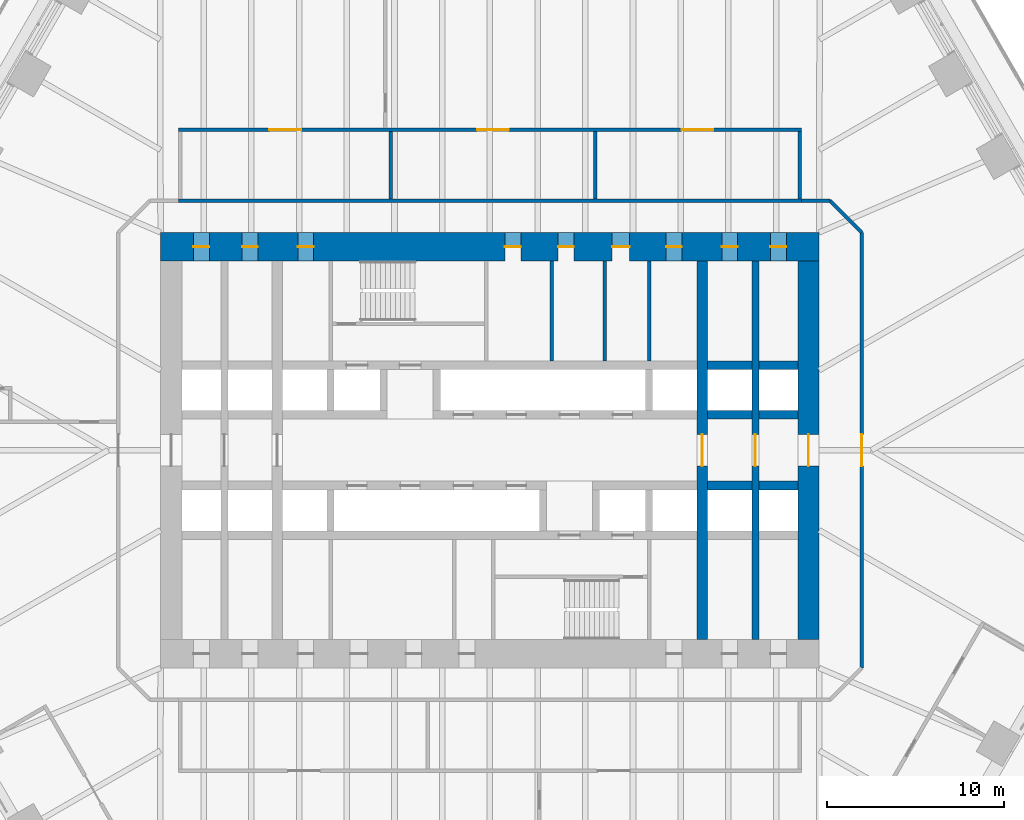
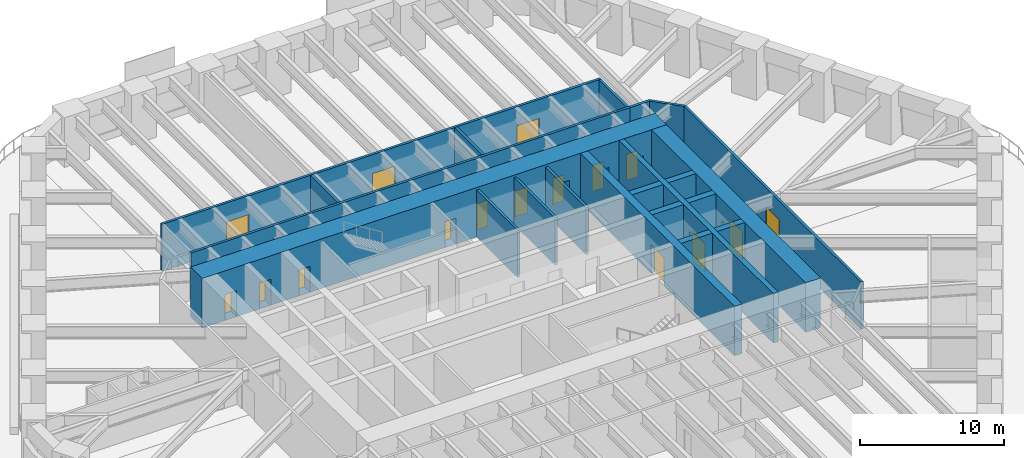
# One storey, part 19 of 23: 21 walls, 16 doors, 16 openings.
"""IFC4 building model written with IfcOpenShell, lengths in metres."""

from ifc_helpers import new_model, si_unit, direction, frame, frame_2d, origin, place, context, subcontext, project, spatial, rectangle, extrude, material, layer, layer_set, type_object, element, fill, save


model = new_model("IFC4")

# Units and contexts
model_context = context("Model", 3, precision=1e-05, world=origin(), true_north=direction((0.0, 1.0)))
body_context = subcontext(model_context, "Body", "Model", "MODEL_VIEW")
ifc_project = project(units=[si_unit("LENGTHUNIT", "METRE"), si_unit("AREAUNIT", "SQUARE_METRE"), si_unit("VOLUMEUNIT", "CUBIC_METRE"), si_unit("PLANEANGLEUNIT", "RADIAN"), si_unit("MASSUNIT", "GRAM", prefix="KILO")], contexts=[model_context])

# Site, building, storey
site_placement = place(None, origin())
site = spatial("IfcSite", under=ifc_project, at=site_placement, CompositionType="ELEMENT")
building_placement = place(site_placement, origin())
building = spatial("IfcBuilding", under=site, at=building_placement, Name="Tarfa Lantern Tower", CompositionType="ELEMENT")
storey_placement = place(building_placement, frame((0.0, 0.0, 78.10009765625)))
storey = spatial("IfcBuildingStorey", under=building, at=storey_placement, Name="L17", CompositionType="ELEMENT", Elevation=78.10009765625)

# Walls
ifc_material_1 = material(Name="Concrete blockwork", Category="masonry")
ifc_layer_1 = layer(ifc_material_1, 0.199951171875)
ifc_layer_set_1 = layer_set([ifc_layer_1], Name="IW1 BLOCKWORK PARTITION 200 EI 120")
wall_type_1 = type_object("IfcWallType", Name="IW1 BLOCKWORK PARTITION 200 EI 120", PredefinedType="PARTITIONING", material=ifc_layer_set_1)
for number, where, z_axis, x_axis, name in (
    (1, (9.0, 5.050048828125, 0.0), (0.0, 0.0, 1.0), (0.0, 1.0, 0.0), "Core partition"),
    (2, (3.5, 5.050048828125, 0.0), (0.0, 0.0, 1.0), (0.0, 1.0, 0.0), "Core partition"),
    (3, (6.5, 5.050048828125, 0.0), (0.0, 0.0, 1.0), (0.0, 1.0, 0.0), "Core partition"),
):
    element("IfcWall", number, at=place(storey_placement, frame(where, z_axis=z_axis, x_axis=x_axis)), inside=storey, type_object=wall_type_1, Name=name, PredefinedType="PARTITIONING", context=body_context, shape_type="SweptSolid", body=[
        extrude(rectangle(XDim=5.64990234375, YDim=0.199951171875, at=frame_2d((2.824951171875, 0.0))), origin(), (0.0, 0.0, 1.0), 4.0),
    ])
ifc_material_2 = material(Name="Gypsum board on steel studs", Category="steel")
ifc_layer_2 = layer(ifc_material_2, 0.2099609375)
ifc_layer_set_2 = layer_set([ifc_layer_2], Name="IW2 ACOUSTIC PARTITION 200")
wall_type_2 = type_object("IfcWallType", Name="IW2 ACOUSTIC PARTITION 200", PredefinedType="PARTITIONING", material=ifc_layer_set_2)
wall_1_placement = place(storey_placement, frame((-17.60009765625, 14.10009765625, 0.0), z_axis=(0.0, 0.0, 1.0), x_axis=(1.0, 0.0, 0.0)))
element("IfcWall", 4, at=wall_1_placement, inside=storey, type_object=wall_type_2, Name="Partition", PredefinedType="PARTITIONING", context=body_context, shape_type="SweptSolid", body=[
    extrude(rectangle(XDim=35.2001953125, YDim=0.199951171875, at=frame_2d((17.60009765625, 0.0))), origin(), (0.0, 0.0, 1.0), 4.0),
])

# Wall, openings, doors
wall_2_placement = place(storey_placement, frame((-17.60009765625, 18.10009765625, 0.0), z_axis=(0.0, 0.0, 1.0), x_axis=(1.0, 0.0, 0.0)))
wall_2 = element("IfcWall", 5, at=wall_2_placement, inside=storey, type_object=wall_type_2, Name="Partition", PredefinedType="PARTITIONING", context=body_context, shape_type="SweptSolid", body=[
    extrude(rectangle(XDim=35.2001953125, YDim=0.199951171875, at=frame_2d((17.60009765625, 0.0))), origin(), (0.0, 0.0, 1.0), 4.0),
])
opening_1_placement = place(wall_2_placement, frame((5.14990234375, 0.0, 0.0)))
opening_1 = element("IfcOpeningElement", 6, at=opening_1_placement, cuts=wall_2, Name="Opening D32", PredefinedType="OPENING", context=body_context, shape_type="SweptSolid", body=[
    extrude(rectangle(XDim=1.800048828125, YDim=2.39990234375, at=frame_2d((0.89990234375, 1.199951171875))), frame((0.0, 0.10986328125, 0.0), z_axis=(0.0, -1.0, 0.0), x_axis=(1.0, 0.0, 0.0)), (0.0, 0.0, 1.0), 0.219970703125),
])
opening_2_placement = place(wall_2_placement, frame((16.875, 0.0, 0.0)))
opening_2 = element("IfcOpeningElement", 7, at=opening_2_placement, cuts=wall_2, Name="Opening D33", PredefinedType="OPENING", context=body_context, shape_type="SweptSolid", body=[
    extrude(rectangle(XDim=1.800048828125, YDim=2.39990234375, at=frame_2d((0.89990234375, 1.199951171875))), frame((0.0, 0.10986328125, 0.0), z_axis=(0.0, -1.0, 0.0), x_axis=(1.0, 0.0, 0.0)), (0.0, 0.0, 1.0), 0.219970703125),
])
opening_3_placement = place(wall_2_placement, frame((28.425048828125, 0.0, 0.0)))
opening_3 = element("IfcOpeningElement", 8, at=opening_3_placement, cuts=wall_2, Name="Opening D34", PredefinedType="OPENING", context=body_context, shape_type="SweptSolid", body=[
    extrude(rectangle(XDim=1.800048828125, YDim=2.39990234375, at=frame_2d((0.89990234375, 1.199951171875))), frame((0.0, 0.10986328125, 0.0), z_axis=(0.0, -1.0, 0.0), x_axis=(1.0, 0.0, 0.0)), (0.0, 0.0, 1.0), 0.219970703125),
])
ifc_material_3 = material(Name="Timber door", Category="wood")
door_type_1 = type_object("IfcDoorType", Name="DR2 ROOM DOOR 1800x2400", OperationType="DOUBLE_DOOR_SINGLE_SWING", PredefinedType="DOOR", material=ifc_material_3)
door_1_placement = place(opening_1_placement, frame((1.800048828125, 0.0, 0.0), z_axis=(0.0, 0.0, 1.0), x_axis=(-1.0, 0.0, 0.0)))
door_1 = element("IfcDoor", 9, at=door_1_placement, inside=storey, type_object=door_type_1, Name="Interview room door", OperationType="DOUBLE_DOOR_SINGLE_SWING", OverallHeight=2.39990234375, OverallWidth=1.800048828125, PredefinedType="DOOR", context=body_context, shape_type="SweptSolid", body=[
    extrude(rectangle(XDim=1.800048828125, YDim=2.39990234375, at=frame_2d((0.89990234375, 1.199951171875))), frame((0.0, 0.02490234375, 0.0), z_axis=(0.0, -1.0, 0.0), x_axis=(1.0, 0.0, 0.0)), (0.0, 0.0, 1.0), 0.050048828125),
])
fill(opening_1, door_1)
door_2_placement = place(opening_2_placement, frame((1.800048828125, 0.0, 0.0), z_axis=(0.0, 0.0, 1.0), x_axis=(-1.0, 0.0, 0.0)))
door_2 = element("IfcDoor", 10, at=door_2_placement, inside=storey, type_object=door_type_1, Name="Interview room door", OperationType="DOUBLE_DOOR_SINGLE_SWING", OverallHeight=2.39990234375, OverallWidth=1.800048828125, PredefinedType="DOOR", context=body_context, shape_type="SweptSolid", body=[
    extrude(rectangle(XDim=1.800048828125, YDim=2.39990234375, at=frame_2d((0.89990234375, 1.199951171875))), frame((0.0, 0.02490234375, 0.0), z_axis=(0.0, -1.0, 0.0), x_axis=(1.0, 0.0, 0.0)), (0.0, 0.0, 1.0), 0.050048828125),
])
fill(opening_2, door_2)
door_3_placement = place(opening_3_placement, frame((1.800048828125, 0.0, 0.0), z_axis=(0.0, 0.0, 1.0), x_axis=(-1.0, 0.0, 0.0)))
door_3 = element("IfcDoor", 11, at=door_3_placement, inside=storey, type_object=door_type_1, Name="Interview room door", OperationType="DOUBLE_DOOR_SINGLE_SWING", OverallHeight=2.39990234375, OverallWidth=1.800048828125, PredefinedType="DOOR", context=body_context, shape_type="SweptSolid", body=[
    extrude(rectangle(XDim=1.800048828125, YDim=2.39990234375, at=frame_2d((0.89990234375, 1.199951171875))), frame((0.0, 0.02490234375, 0.0), z_axis=(0.0, -1.0, 0.0), x_axis=(1.0, 0.0, 0.0)), (0.0, 0.0, 1.0), 0.050048828125),
])
fill(opening_3, door_3)

# Walls
for number, where, z_axis, x_axis, name in (
    (12, (-5.60009765625, 14.199951171875, 0.0), (0.0, 0.0, 1.0), (0.0, 1.0, 0.0), "Partition"),
    (13, (5.949951171875, 14.199951171875, 0.0), (0.0, 0.0, 1.0), (0.0, 1.0, 0.0), "Partition"),
    (14, (17.5, 14.199951171875, 0.0), (0.0, 0.0, 1.0), (0.0, 1.0, 0.0), "Partition"),
):
    element("IfcWall", number, at=place(storey_placement, frame(where, z_axis=z_axis, x_axis=x_axis)), inside=storey, type_object=wall_type_2, Name=name, PredefinedType="PARTITIONING", context=body_context, shape_type="SweptSolid", body=[
        extrude(rectangle(XDim=3.800048828125, YDim=0.199951171875, at=frame_2d((1.89990234375, 0.0))), origin(), (0.0, 0.0, 1.0), 4.0),
    ])
wall_3_placement = place(storey_placement, frame((17.60009765625, 14.10009765625, 0.0), z_axis=(0.0, 0.0, 1.0), x_axis=(1.0, 0.0, 0.0)))
element("IfcWall", 15, at=wall_3_placement, inside=storey, type_object=wall_type_2, Name="Partition", PredefinedType="PARTITIONING", context=body_context, shape_type="SweptSolid", body=[
    extrude(rectangle(XDim=1.599853515625, YDim=0.199951171875, at=frame_2d((0.7998046875, 0.0))), origin(), (0.0, 0.0, 1.0), 4.0),
])
wall_4_placement = place(storey_placement, frame((19.199951171875, 14.10009765625, 0.0), z_axis=(0.0, 0.0, 1.0), x_axis=(0.707106781187, -0.707106781187, 0.0)))
element("IfcWall", 16, at=wall_4_placement, inside=storey, type_object=wall_type_2, Name="Partition", PredefinedType="PARTITIONING", context=body_context, shape_type="SweptSolid", body=[
    extrude(rectangle(XDim=2.545654296875, YDim=0.199951171875, at=frame_2d((1.27294921875, 0.0))), origin(), (0.0, 0.0, 1.0), 4.0),
])

# Wall, opening, door
wall_5_placement = place(storey_placement, frame((21.0, 12.300048828125, 0.0), z_axis=(0.0, 0.0, 1.0), x_axis=(0.0, -1.0, 0.0)))
wall_5 = element("IfcWall", 17, at=wall_5_placement, inside=storey, type_object=wall_type_2, Name="Partition", PredefinedType="PARTITIONING", context=body_context, shape_type="SweptSolid", body=[
    extrude(rectangle(XDim=24.60009765625, YDim=0.199951171875, at=frame_2d((12.300048828125, 0.0))), origin(), (0.0, 0.0, 1.0), 4.0),
])
opening_4_placement = place(wall_5_placement, frame((11.39990234375, 0.0, 0.0)))
opening_4 = element("IfcOpeningElement", 18, at=opening_4_placement, cuts=wall_5, Name="Opening D42", PredefinedType="OPENING", context=body_context, shape_type="SweptSolid", body=[
    extrude(rectangle(XDim=1.800048828125, YDim=2.39990234375, at=frame_2d((0.89990234375, 1.199951171875))), frame((0.0, 0.10986328125, 0.0), z_axis=(0.0, -1.0, 0.0), x_axis=(1.0, 0.0, 0.0)), (0.0, 0.0, 1.0), 0.219970703125),
])
door_4_placement = place(opening_4_placement, origin())
door_4 = element("IfcDoor", 19, at=door_4_placement, inside=storey, type_object=door_type_1, Name="Corridor door", OperationType="DOUBLE_DOOR_SINGLE_SWING", OverallHeight=2.39990234375, OverallWidth=1.800048828125, PredefinedType="DOOR", context=body_context, shape_type="SweptSolid", body=[
    extrude(rectangle(XDim=1.800048828125, YDim=2.39990234375, at=frame_2d((0.89990234375, 1.199951171875))), frame((0.0, 0.02490234375, 0.0), z_axis=(0.0, -1.0, 0.0), x_axis=(1.0, 0.0, 0.0)), (0.0, 0.0, 1.0), 0.050048828125),
])
fill(opening_4, door_4)

ifc_material_4 = material(Name="Concrete C80/95", Category="concrete")
ifc_layer_3 = layer(ifc_material_4, 1.199951171875)
ifc_layer_set_3 = layer_set([ifc_layer_3], Name="SW1 CORE WALL 1200")
wall_type_3 = type_object("IfcWallType", Name="SW1 CORE WALL 1200", PredefinedType="SHEAR", material=ifc_layer_set_3)
wall_6_placement = place(storey_placement, frame((18.0, -10.699951171875, 0.0), z_axis=(0.0, 0.0, 1.0), x_axis=(0.0, 1.0, 0.0)))
wall_6 = element("IfcWall", 20, at=wall_6_placement, inside=storey, type_object=wall_type_3, Name="Core wall E", PredefinedType="SHEAR", context=body_context, shape_type="SweptSolid", body=[
    extrude(rectangle(XDim=21.39990234375, YDim=1.199951171875, at=frame_2d((10.699951171875, 0.0))), origin(), (0.0, 0.0, 1.0), 4.199951171875),
])
opening_5_placement = place(wall_6_placement, frame((9.800048828125, 0.0, 0.0)))
opening_5 = element("IfcOpeningElement", 21, at=opening_5_placement, cuts=wall_6, Name="Opening D15", PredefinedType="OPENING", context=body_context, shape_type="SweptSolid", body=[
    extrude(rectangle(XDim=1.800048828125, YDim=2.39990234375, at=frame_2d((0.89990234375, 1.199951171875))), frame((0.0, 0.60986328125, 0.0), z_axis=(0.0, -1.0, 0.0), x_axis=(1.0, 0.0, 0.0)), (0.0, 0.0, 1.0), 1.219970703125),
])
ifc_material_5 = material(Name="Steel fire door", Category="steel")
door_type_2 = type_object("IfcDoorType", Name="DL1 LOBBY DOOR 1800x2400", OperationType="DOUBLE_DOOR_SINGLE_SWING", PredefinedType="DOOR", material=ifc_material_5)
door_5_placement = place(opening_5_placement, frame((1.800048828125, 0.0, 0.0), z_axis=(0.0, 0.0, 1.0), x_axis=(-1.0, 0.0, 0.0)))
door_5 = element("IfcDoor", 22, at=door_5_placement, inside=storey, type_object=door_type_2, Name="Lift lobby door", OperationType="DOUBLE_DOOR_SINGLE_SWING", OverallHeight=2.39990234375, OverallWidth=1.800048828125, PredefinedType="DOOR", context=body_context, shape_type="SweptSolid", body=[
    extrude(rectangle(XDim=1.800048828125, YDim=2.39990234375, at=frame_2d((0.89990234375, 1.199951171875))), frame((0.0, 0.02490234375, 0.0), z_axis=(0.0, -1.0, 0.0), x_axis=(1.0, 0.0, 0.0)), (0.0, 0.0, 1.0), 0.050048828125),
])
fill(opening_5, door_5)

# Walls
ifc_layer_4 = layer(ifc_material_4, 0.5)
ifc_layer_set_4 = layer_set([ifc_layer_4], Name="SW5 CORE WALL 500")
wall_type_4 = type_object("IfcWallType", Name="SW5 CORE WALL 500", PredefinedType="SHEAR", material=ifc_layer_set_4)
wall_7_placement = place(storey_placement, frame((12.300048828125, 2.0, 0.0), z_axis=(0.0, 0.0, 1.0), x_axis=(1.0, 0.0, 0.0)))
element("IfcWall", 23, at=wall_7_placement, inside=storey, type_object=wall_type_4, Name="Core wall lobby east N", PredefinedType="SHEAR", context=body_context, shape_type="SweptSolid", body=[
    extrude(rectangle(XDim=2.5, YDim=0.5, at=frame_2d((1.25, 0.0))), origin(), (0.0, 0.0, 1.0), 4.199951171875),
])
wall_8_placement = place(storey_placement, frame((15.199951171875, 2.0, 0.0), z_axis=(0.0, 0.0, 1.0), x_axis=(1.0, 0.0, 0.0)))
element("IfcWall", 24, at=wall_8_placement, inside=storey, type_object=wall_type_4, Name="Core wall lobby east N", PredefinedType="SHEAR", context=body_context, shape_type="SweptSolid", body=[
    extrude(rectangle(XDim=2.199951171875, YDim=0.5, at=frame_2d((1.10009765625, 0.0))), origin(), (0.0, 0.0, 1.0), 4.199951171875),
])
wall_9_placement = place(storey_placement, frame((12.300048828125, 4.800048828125, 0.0), z_axis=(0.0, 0.0, 1.0), x_axis=(1.0, 0.0, 0.0)))
element("IfcWall", 25, at=wall_9_placement, inside=storey, type_object=wall_type_4, Name="Core wall rear N", PredefinedType="SHEAR", context=body_context, shape_type="SweptSolid", body=[
    extrude(rectangle(XDim=2.5, YDim=0.5, at=frame_2d((1.25, 0.0))), origin(), (0.0, 0.0, 1.0), 4.199951171875),
])
for number, where, z_axis, x_axis, name in (
    (26, (15.199951171875, 4.800048828125, 0.0), (0.0, 0.0, 1.0), (1.0, 0.0, 0.0), "Core wall rear N"),
    (27, (17.39990234375, -2.0, 0.0), (0.0, 0.0, 1.0), (-1.0, 0.0, 0.0), "Core wall lobby west S"),
):
    element("IfcWall", number, at=place(storey_placement, frame(where, z_axis=z_axis, x_axis=x_axis)), inside=storey, type_object=wall_type_4, Name=name, PredefinedType="SHEAR", context=body_context, shape_type="SweptSolid", body=[
        extrude(rectangle(XDim=2.199951171875, YDim=0.5, at=frame_2d((1.10009765625, 0.0))), origin(), (0.0, 0.0, 1.0), 4.199951171875),
    ])
wall_10_placement = place(storey_placement, frame((14.800048828125, -2.0, 0.0), z_axis=(0.0, 0.0, 1.0), x_axis=(-1.0, 0.0, 0.0)))
element("IfcWall", 28, at=wall_10_placement, inside=storey, type_object=wall_type_4, Name="Core wall lobby west S", PredefinedType="SHEAR", context=body_context, shape_type="SweptSolid", body=[
    extrude(rectangle(XDim=2.5, YDim=0.5, at=frame_2d((1.25, 0.0))), origin(), (0.0, 0.0, 1.0), 4.199951171875),
])

# Wall, opening, door
ifc_layer_5 = layer(ifc_material_4, 0.39990234375)
ifc_layer_set_5 = layer_set([ifc_layer_5], Name="SW6 CORE WALL 400")
wall_type_5 = type_object("IfcWallType", Name="SW6 CORE WALL 400", PredefinedType="SHEAR", material=ifc_layer_set_5)
wall_11_placement = place(storey_placement, frame((15.0, -10.699951171875, 0.0), z_axis=(0.0, 0.0, 1.0), x_axis=(0.0, 1.0, 0.0)))
wall_11 = element("IfcWall", 29, at=wall_11_placement, inside=storey, type_object=wall_type_5, Name="Core wall cross 15 m east", PredefinedType="SHEAR", context=body_context, shape_type="SweptSolid", body=[
    extrude(rectangle(XDim=21.39990234375, YDim=0.39990234375, at=frame_2d((10.699951171875, 0.0))), origin(), (0.0, 0.0, 1.0), 4.199951171875),
])
opening_6_placement = place(wall_11_placement, frame((9.800048828125, 0.0, 0.0)))
opening_6 = element("IfcOpeningElement", 30, at=opening_6_placement, cuts=wall_11, Name="Opening D26", PredefinedType="OPENING", context=body_context, shape_type="SweptSolid", body=[
    extrude(rectangle(XDim=1.800048828125, YDim=2.39990234375, at=frame_2d((0.89990234375, 1.199951171875))), frame((0.0, 0.2099609375, 0.0), z_axis=(0.0, -1.0, 0.0), x_axis=(1.0, 0.0, 0.0)), (0.0, 0.0, 1.0), 0.419921875),
])
door_6_placement = place(opening_6_placement, origin())
door_6 = element("IfcDoor", 31, at=door_6_placement, inside=storey, type_object=door_type_2, Name="Lift lobby door", OperationType="DOUBLE_DOOR_SINGLE_SWING", OverallHeight=2.39990234375, OverallWidth=1.800048828125, PredefinedType="DOOR", context=body_context, shape_type="SweptSolid", body=[
    extrude(rectangle(XDim=1.800048828125, YDim=2.39990234375, at=frame_2d((0.89990234375, 1.199951171875))), frame((0.0, 0.02490234375, 0.0), z_axis=(0.0, -1.0, 0.0), x_axis=(1.0, 0.0, 0.0)), (0.0, 0.0, 1.0), 0.050048828125),
])
fill(opening_6, door_6)

# Wall, openings, doors
ifc_layer_6 = layer(ifc_material_4, 1.60009765625)
ifc_layer_set_6 = layer_set([ifc_layer_6], Name="SW7 CORE WALL 1600")
wall_type_6 = type_object("IfcWallType", Name="SW7 CORE WALL 1600", PredefinedType="SHEAR", material=ifc_layer_set_6)
wall_12_placement = place(storey_placement, frame((-18.60009765625, 11.5, 0.0), z_axis=(0.0, 0.0, 1.0), x_axis=(1.0, 0.0, 0.0)))
wall_12 = element("IfcWall", 32, at=wall_12_placement, inside=storey, type_object=wall_type_6, Name="Core wall N", PredefinedType="SHEAR", context=body_context, shape_type="SweptSolid", body=[
    extrude(rectangle(XDim=37.2001953125, YDim=1.60009765625, at=frame_2d((18.60009765625, 0.0))), origin(), (0.0, 0.0, 1.0), 4.199951171875),
])
opening_7_placement = place(wall_12_placement, frame((19.449951171875, 0.0, 0.0)))
opening_7 = element("IfcOpeningElement", 33, at=opening_7_placement, cuts=wall_12, Name="Opening D17", PredefinedType="OPENING", context=body_context, shape_type="SweptSolid", body=[
    extrude(rectangle(XDim=0.89990234375, YDim=2.199951171875, at=frame_2d((0.449951171875, 1.10009765625))), frame((0.0, 0.81005859375, 0.0), z_axis=(0.0, -1.0, 0.0), x_axis=(1.0, 0.0, 0.0)), (0.0, 0.0, 1.0), 1.6201171875),
])
opening_8_placement = place(wall_12_placement, frame((22.449951171875, 0.0, 0.0)))
opening_8 = element("IfcOpeningElement", 34, at=opening_8_placement, cuts=wall_12, Name="Opening D19", PredefinedType="OPENING", context=body_context, shape_type="SweptSolid", body=[
    extrude(rectangle(XDim=0.89990234375, YDim=2.199951171875, at=frame_2d((0.449951171875, 1.10009765625))), frame((0.0, 0.81005859375, 0.0), z_axis=(0.0, -1.0, 0.0), x_axis=(1.0, 0.0, 0.0)), (0.0, 0.0, 1.0), 1.6201171875),
])
opening_9_placement = place(wall_12_placement, frame((25.5, 0.0, 0.0)))
opening_9 = element("IfcOpeningElement", 35, at=opening_9_placement, cuts=wall_12, Name="Opening D21", PredefinedType="OPENING", context=body_context, shape_type="SweptSolid", body=[
    extrude(rectangle(XDim=1.0, YDim=2.199951171875, at=frame_2d((0.5, 1.10009765625))), frame((0.0, 0.81005859375, 0.0), z_axis=(0.0, -1.0, 0.0), x_axis=(1.0, 0.0, 0.0)), (0.0, 0.0, 1.0), 1.6201171875),
])
opening_10_placement = place(wall_12_placement, frame((1.85009765625, 0.0, 0.0)))
opening_10 = element("IfcOpeningElement", 36, at=opening_10_placement, cuts=wall_12, Name="Opening D11", PredefinedType="OPENING", context=body_context, shape_type="SweptSolid", body=[
    extrude(rectangle(XDim=0.89990234375, YDim=2.199951171875, at=frame_2d((0.449951171875, 1.10009765625))), frame((0.0, 0.81005859375, 0.0), z_axis=(0.0, -1.0, 0.0), x_axis=(1.0, 0.0, 0.0)), (0.0, 0.0, 1.0), 1.6201171875),
])
opening_11_placement = place(wall_12_placement, frame((4.60009765625, 0.0, 0.0)))
opening_11 = element("IfcOpeningElement", 37, at=opening_11_placement, cuts=wall_12, Name="Opening D07", PredefinedType="OPENING", context=body_context, shape_type="SweptSolid", body=[
    extrude(rectangle(XDim=0.89990234375, YDim=2.199951171875, at=frame_2d((0.449951171875, 1.10009765625))), frame((0.0, 0.81005859375, 0.0), z_axis=(0.0, -1.0, 0.0), x_axis=(1.0, 0.0, 0.0)), (0.0, 0.0, 1.0), 1.6201171875),
])
opening_12_placement = place(wall_12_placement, frame((7.75, 0.0, 0.0)))
opening_12 = element("IfcOpeningElement", 38, at=opening_12_placement, cuts=wall_12, Name="Opening D09", PredefinedType="OPENING", context=body_context, shape_type="SweptSolid", body=[
    extrude(rectangle(XDim=0.89990234375, YDim=2.199951171875, at=frame_2d((0.449951171875, 1.10009765625))), frame((0.0, 0.81005859375, 0.0), z_axis=(0.0, -1.0, 0.0), x_axis=(1.0, 0.0, 0.0)), (0.0, 0.0, 1.0), 1.6201171875),
])
opening_13_placement = place(wall_12_placement, frame((28.550048828125, 0.0, 0.0)))
opening_13 = element("IfcOpeningElement", 39, at=opening_13_placement, cuts=wall_12, Name="Opening D05", PredefinedType="OPENING", context=body_context, shape_type="SweptSolid", body=[
    extrude(rectangle(XDim=0.89990234375, YDim=2.199951171875, at=frame_2d((0.449951171875, 1.10009765625))), frame((0.0, 0.81005859375, 0.0), z_axis=(0.0, -1.0, 0.0), x_axis=(1.0, 0.0, 0.0)), (0.0, 0.0, 1.0), 1.6201171875),
])
opening_14_placement = place(wall_12_placement, frame((31.699951171875, 0.0, 0.0)))
opening_14 = element("IfcOpeningElement", 40, at=opening_14_placement, cuts=wall_12, Name="Opening D01", PredefinedType="OPENING", context=body_context, shape_type="SweptSolid", body=[
    extrude(rectangle(XDim=0.89990234375, YDim=2.199951171875, at=frame_2d((0.449951171875, 1.10009765625))), frame((0.0, 0.81005859375, 0.0), z_axis=(0.0, -1.0, 0.0), x_axis=(1.0, 0.0, 0.0)), (0.0, 0.0, 1.0), 1.6201171875),
])
opening_15_placement = place(wall_12_placement, frame((34.449951171875, 0.0, 0.0)))
opening_15 = element("IfcOpeningElement", 41, at=opening_15_placement, cuts=wall_12, Name="Opening D03", PredefinedType="OPENING", context=body_context, shape_type="SweptSolid", body=[
    extrude(rectangle(XDim=0.89990234375, YDim=2.199951171875, at=frame_2d((0.449951171875, 1.10009765625))), frame((0.0, 0.81005859375, 0.0), z_axis=(0.0, -1.0, 0.0), x_axis=(1.0, 0.0, 0.0)), (0.0, 0.0, 1.0), 1.6201171875),
])
door_type_3 = type_object("IfcDoorType", Name="DF3 CORE ROOM DOOR 900x2200", OperationType="SINGLE_SWING_LEFT", PredefinedType="DOOR", material=ifc_material_5)
door_7_placement = place(opening_7_placement, frame((0.89990234375, 0.0, 0.0), z_axis=(0.0, 0.0, 1.0), x_axis=(-1.0, 0.0, 0.0)))
door_7 = element("IfcDoor", 42, at=door_7_placement, inside=storey, type_object=door_type_3, Name="Core door", OperationType="SINGLE_SWING_LEFT", OverallHeight=2.199951171875, OverallWidth=0.89990234375, PredefinedType="DOOR", context=body_context, shape_type="SweptSolid", body=[
    extrude(rectangle(XDim=0.89990234375, YDim=2.199951171875, at=frame_2d((0.449951171875, 1.10009765625))), frame((0.0, 0.02490234375, 0.0), z_axis=(0.0, -1.0, 0.0), x_axis=(1.0, 0.0, 0.0)), (0.0, 0.0, 1.0), 0.050048828125),
])
fill(opening_7, door_7)
door_8_placement = place(opening_8_placement, frame((0.89990234375, 0.0, 0.0), z_axis=(0.0, 0.0, 1.0), x_axis=(-1.0, 0.0, 0.0)))
door_8 = element("IfcDoor", 43, at=door_8_placement, inside=storey, type_object=door_type_3, Name="Core door", OperationType="SINGLE_SWING_LEFT", OverallHeight=2.199951171875, OverallWidth=0.89990234375, PredefinedType="DOOR", context=body_context, shape_type="SweptSolid", body=[
    extrude(rectangle(XDim=0.89990234375, YDim=2.199951171875, at=frame_2d((0.449951171875, 1.10009765625))), frame((0.0, 0.02490234375, 0.0), z_axis=(0.0, -1.0, 0.0), x_axis=(1.0, 0.0, 0.0)), (0.0, 0.0, 1.0), 0.050048828125),
])
fill(opening_8, door_8)
door_type_4 = type_object("IfcDoorType", Name="DF4 CORE ROOM DOOR 1000x2200", OperationType="SINGLE_SWING_LEFT", PredefinedType="DOOR", material=ifc_material_5)
door_9_placement = place(opening_9_placement, frame((1.0, 0.0, 0.0), z_axis=(0.0, 0.0, 1.0), x_axis=(-1.0, 0.0, 0.0)))
door_9 = element("IfcDoor", 44, at=door_9_placement, inside=storey, type_object=door_type_4, Name="Core door", OperationType="SINGLE_SWING_LEFT", OverallHeight=2.199951171875, OverallWidth=1.0, PredefinedType="DOOR", context=body_context, shape_type="SweptSolid", body=[
    extrude(rectangle(XDim=1.0, YDim=2.199951171875, at=frame_2d((0.5, 1.10009765625))), frame((0.0, 0.02490234375, 0.0), z_axis=(0.0, -1.0, 0.0), x_axis=(1.0, 0.0, 0.0)), (0.0, 0.0, 1.0), 0.050048828125),
])
fill(opening_9, door_9)
door_type_5 = type_object("IfcDoorType", Name="DF5 RISER DOOR 900x2200", OperationType="SINGLE_SWING_LEFT", PredefinedType="DOOR", material=ifc_material_5)
door_10_placement = place(opening_10_placement, frame((0.89990234375, 0.0, 0.0), z_axis=(0.0, 0.0, 1.0), x_axis=(-1.0, 0.0, 0.0)))
door_10 = element("IfcDoor", 45, at=door_10_placement, inside=storey, type_object=door_type_5, Name="Riser door", OperationType="SINGLE_SWING_LEFT", OverallHeight=2.199951171875, OverallWidth=0.89990234375, PredefinedType="DOOR", context=body_context, shape_type="SweptSolid", body=[
    extrude(rectangle(XDim=0.89990234375, YDim=2.199951171875, at=frame_2d((0.449951171875, 1.10009765625))), frame((0.0, 0.02490234375, 0.0), z_axis=(0.0, -1.0, 0.0), x_axis=(1.0, 0.0, 0.0)), (0.0, 0.0, 1.0), 0.050048828125),
])
fill(opening_10, door_10)
door_11_placement = place(opening_11_placement, frame((0.89990234375, 0.0, 0.0), z_axis=(0.0, 0.0, 1.0), x_axis=(-1.0, 0.0, 0.0)))
door_11 = element("IfcDoor", 46, at=door_11_placement, inside=storey, type_object=door_type_5, Name="Riser door", OperationType="SINGLE_SWING_LEFT", OverallHeight=2.199951171875, OverallWidth=0.89990234375, PredefinedType="DOOR", context=body_context, shape_type="SweptSolid", body=[
    extrude(rectangle(XDim=0.89990234375, YDim=2.199951171875, at=frame_2d((0.449951171875, 1.10009765625))), frame((0.0, 0.02490234375, 0.0), z_axis=(0.0, -1.0, 0.0), x_axis=(1.0, 0.0, 0.0)), (0.0, 0.0, 1.0), 0.050048828125),
])
fill(opening_11, door_11)
door_12_placement = place(opening_12_placement, frame((0.89990234375, 0.0, 0.0), z_axis=(0.0, 0.0, 1.0), x_axis=(-1.0, 0.0, 0.0)))
door_12 = element("IfcDoor", 47, at=door_12_placement, inside=storey, type_object=door_type_5, Name="Riser door", OperationType="SINGLE_SWING_LEFT", OverallHeight=2.199951171875, OverallWidth=0.89990234375, PredefinedType="DOOR", context=body_context, shape_type="SweptSolid", body=[
    extrude(rectangle(XDim=0.89990234375, YDim=2.199951171875, at=frame_2d((0.449951171875, 1.10009765625))), frame((0.0, 0.02490234375, 0.0), z_axis=(0.0, -1.0, 0.0), x_axis=(1.0, 0.0, 0.0)), (0.0, 0.0, 1.0), 0.050048828125),
])
fill(opening_12, door_12)
door_13_placement = place(opening_13_placement, frame((0.89990234375, 0.0, 0.0), z_axis=(0.0, 0.0, 1.0), x_axis=(-1.0, 0.0, 0.0)))
door_13 = element("IfcDoor", 48, at=door_13_placement, inside=storey, type_object=door_type_5, Name="Riser door", OperationType="SINGLE_SWING_RIGHT", OverallHeight=2.199951171875, OverallWidth=0.89990234375, PredefinedType="DOOR", context=body_context, shape_type="SweptSolid", body=[
    extrude(rectangle(XDim=0.89990234375, YDim=2.199951171875, at=frame_2d((0.449951171875, 1.10009765625))), frame((0.0, 0.02490234375, 0.0), z_axis=(0.0, -1.0, 0.0), x_axis=(1.0, 0.0, 0.0)), (0.0, 0.0, 1.0), 0.050048828125),
])
fill(opening_13, door_13)
door_14_placement = place(opening_14_placement, frame((0.89990234375, 0.0, 0.0), z_axis=(0.0, 0.0, 1.0), x_axis=(-1.0, 0.0, 0.0)))
door_14 = element("IfcDoor", 49, at=door_14_placement, inside=storey, type_object=door_type_5, Name="Riser door", OperationType="SINGLE_SWING_RIGHT", OverallHeight=2.199951171875, OverallWidth=0.89990234375, PredefinedType="DOOR", context=body_context, shape_type="SweptSolid", body=[
    extrude(rectangle(XDim=0.89990234375, YDim=2.199951171875, at=frame_2d((0.449951171875, 1.10009765625))), frame((0.0, 0.02490234375, 0.0), z_axis=(0.0, -1.0, 0.0), x_axis=(1.0, 0.0, 0.0)), (0.0, 0.0, 1.0), 0.050048828125),
])
fill(opening_14, door_14)
door_15_placement = place(opening_15_placement, frame((0.89990234375, 0.0, 0.0), z_axis=(0.0, 0.0, 1.0), x_axis=(-1.0, 0.0, 0.0)))
door_15 = element("IfcDoor", 50, at=door_15_placement, inside=storey, type_object=door_type_5, Name="Riser door", OperationType="SINGLE_SWING_RIGHT", OverallHeight=2.199951171875, OverallWidth=0.89990234375, PredefinedType="DOOR", context=body_context, shape_type="SweptSolid", body=[
    extrude(rectangle(XDim=0.89990234375, YDim=2.199951171875, at=frame_2d((0.449951171875, 1.10009765625))), frame((0.0, 0.02490234375, 0.0), z_axis=(0.0, -1.0, 0.0), x_axis=(1.0, 0.0, 0.0)), (0.0, 0.0, 1.0), 0.050048828125),
])
fill(opening_15, door_15)

# Wall, opening, door
ifc_layer_7 = layer(ifc_material_4, 0.60009765625)
ifc_layer_set_7 = layer_set([ifc_layer_7], Name="SW9 CORE WALL 600")
wall_type_7 = type_object("IfcWallType", Name="SW9 CORE WALL 600", PredefinedType="SHEAR", material=ifc_layer_set_7)
wall_13_placement = place(storey_placement, frame((12.0, -10.699951171875, 0.0), z_axis=(0.0, 0.0, 1.0), x_axis=(0.0, 1.0, 0.0)))
wall_13 = element("IfcWall", 51, at=wall_13_placement, inside=storey, type_object=wall_type_7, Name="Core wall cross 12 m east", PredefinedType="SHEAR", context=body_context, shape_type="SweptSolid", body=[
    extrude(rectangle(XDim=21.39990234375, YDim=0.60009765625, at=frame_2d((10.699951171875, 0.0))), origin(), (0.0, 0.0, 1.0), 4.199951171875),
])
opening_16_placement = place(wall_13_placement, frame((9.800048828125, 0.0, 0.0)))
opening_16 = element("IfcOpeningElement", 52, at=opening_16_placement, cuts=wall_13, Name="Opening D25", PredefinedType="OPENING", context=body_context, shape_type="SweptSolid", body=[
    extrude(rectangle(XDim=1.800048828125, YDim=2.39990234375, at=frame_2d((0.89990234375, 1.199951171875))), frame((0.0, 0.31005859375, 0.0), z_axis=(0.0, -1.0, 0.0), x_axis=(1.0, 0.0, 0.0)), (0.0, 0.0, 1.0), 0.6201171875),
])
door_16_placement = place(opening_16_placement, origin())
door_16 = element("IfcDoor", 53, at=door_16_placement, inside=storey, type_object=door_type_2, Name="Lift lobby door", OperationType="DOUBLE_DOOR_SINGLE_SWING", OverallHeight=2.39990234375, OverallWidth=1.800048828125, PredefinedType="DOOR", context=body_context, shape_type="SweptSolid", body=[
    extrude(rectangle(XDim=1.800048828125, YDim=2.39990234375, at=frame_2d((0.89990234375, 1.199951171875))), frame((0.0, 0.02490234375, 0.0), z_axis=(0.0, -1.0, 0.0), x_axis=(1.0, 0.0, 0.0)), (0.0, 0.0, 1.0), 0.050048828125),
])
fill(opening_16, door_16)

save(model, "model.ifc")
